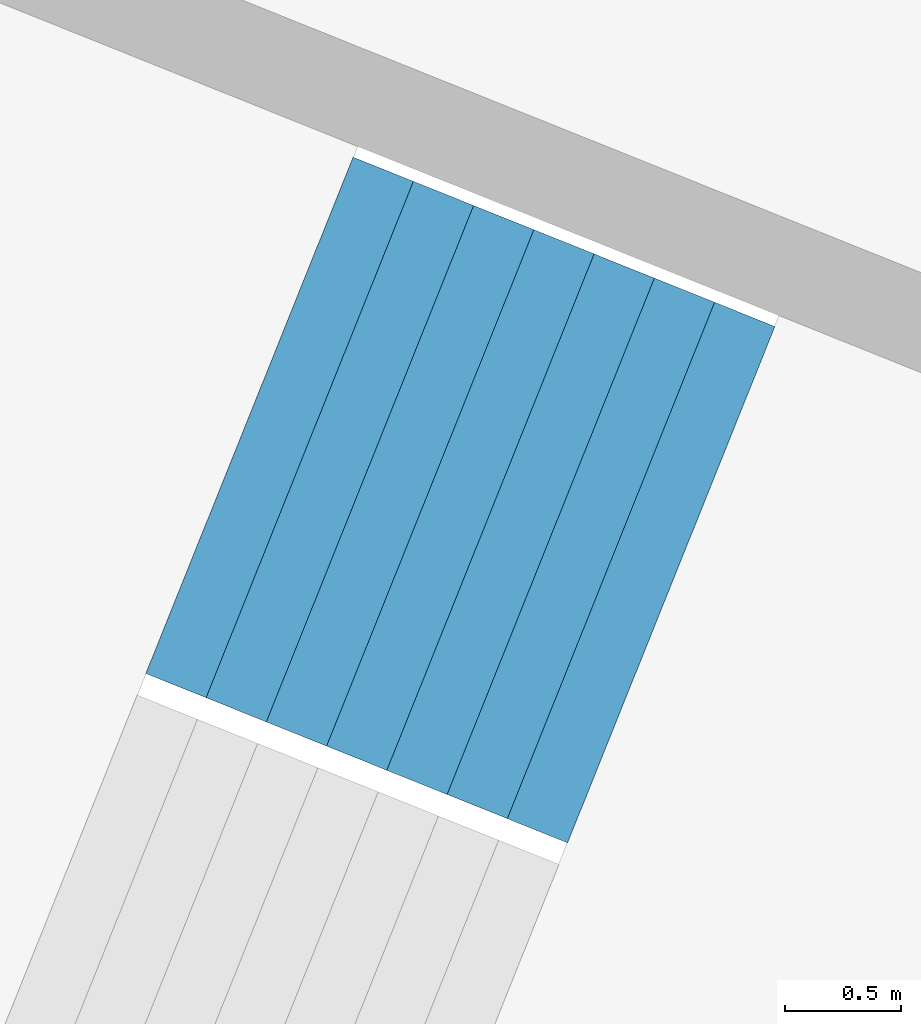
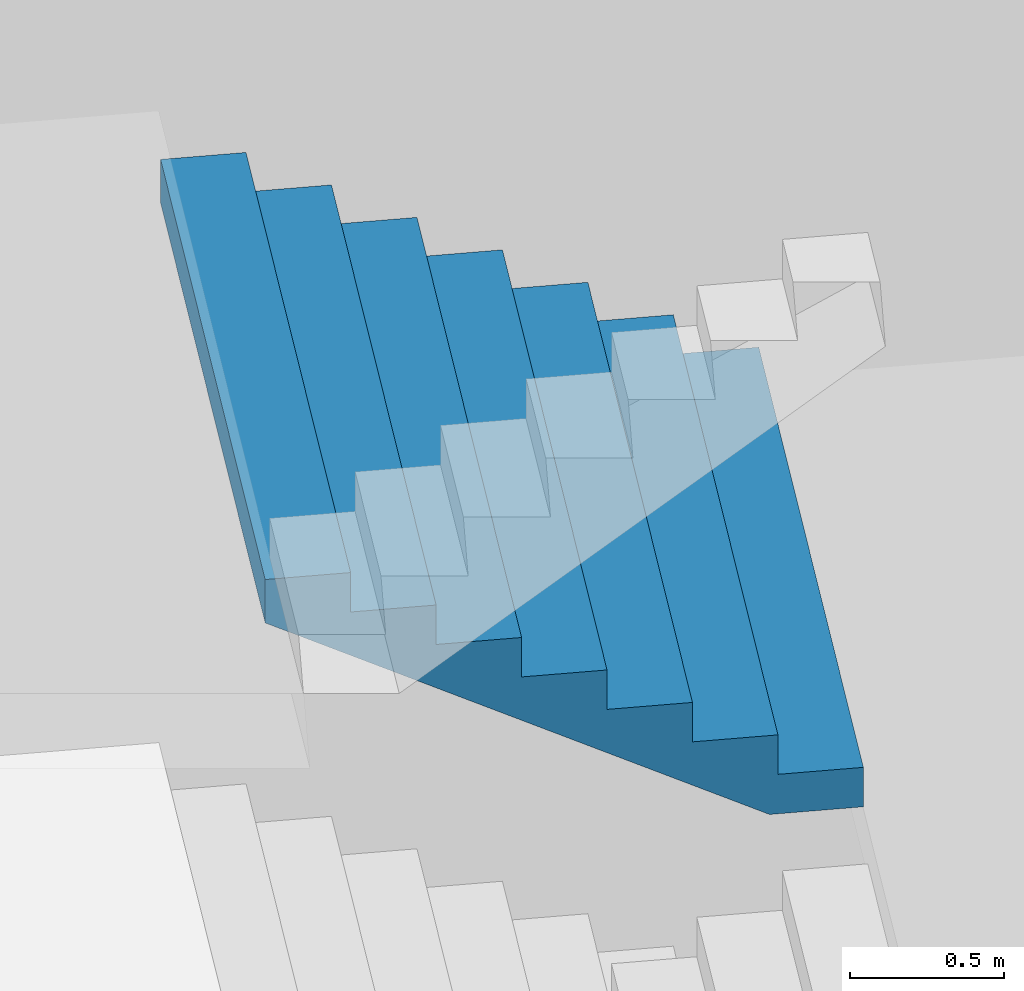
# One storey, part 36 of 73: 1 stair flight, 1 element without a shape of its own.
"""IFC4 building model written with IfcOpenShell, lengths in metres."""

from ifc_helpers import new_model, si_unit, direction, frame, origin, place, context, subcontext, project, spatial, triangles, material, type_object, element, aggregate, save


model = new_model("IFC4")

# Units and contexts
model_context = context("Model", 3, precision=1e-05, world=origin(), true_north=direction((0.0, 1.0)))
body_context = subcontext(model_context, "Body", "Model", "MODEL_VIEW")
ifc_project = project(units=[si_unit("LENGTHUNIT", "METRE"), si_unit("AREAUNIT", "SQUARE_METRE"), si_unit("VOLUMEUNIT", "CUBIC_METRE"), si_unit("PLANEANGLEUNIT", "RADIAN"), si_unit("MASSUNIT", "GRAM", prefix="KILO")], contexts=[model_context])

# Site, building, storey
site_placement = place(None, origin())
site = spatial("IfcSite", under=ifc_project, at=site_placement, CompositionType="ELEMENT")
building_placement = place(site_placement, origin())
building = spatial("IfcBuilding", under=site, at=building_placement, Name="Lantaw Convention Tower", CompositionType="ELEMENT")
storey_placement = place(building_placement, frame((0.0, 0.0, 22.0)))
storey = spatial("IfcBuildingStorey", under=building, at=storey_placement, Name="L03", CompositionType="ELEMENT", Elevation=22.0)

# Stair, stair flight
ifc_material = material(Name="Concrete C35/45", Category="concrete")
stair_type = type_object("IfcStairType", Name="Exit stair 2400 riser 156.25 in 4 flights", PredefinedType="HALF_TURN_STAIR", material=ifc_material)
stair_placement = place(storey_placement, origin())
stair = element("IfcStair", 1, at=stair_placement, inside=storey, type_object=stair_type, Name="Podium exit stair P8 L03", PredefinedType="HALF_TURN_STAIR")
stair_flight_type = type_object("IfcStairFlightType", Name="Stair flight 2400 riser 156.25", PredefinedType="STRAIGHT", material=ifc_material)
stair_flight_placement = place(storey_placement, frame((-35.799560546875, 15.71826171875, 2.5), z_axis=(0.0, 0.0, 1.0), x_axis=(-0.928015168305, 0.372542410198, 0.0)))
stair_flight = element("IfcStairFlight", 2, at=stair_flight_placement, type_object=stair_flight_type, Name="P8 flight 3", NumberOfRisers=8, NumberOfTreads=7, PredefinedType="STRAIGHT", RiserHeight=0.15625, TreadLength=0.28, context=body_context, shape_type="Tessellation", body=[
    triangles([(0.0, 1.199951171875, 0.0), (0.0, 1.199951171875, 0.15625), (0.28, 1.199951171875, 0.0), (0.28, 1.199951171875, 0.15625), (0.28, 1.199951171875, 0.3125), (0.3076200632058044, 1.199951171875, 0.0), (0.3076200632058044, 1.199951171875, 0.3125), (0.56, 1.199951171875, 0.14083701830033238), (0.56, 1.199951171875, 0.3125), (0.56, 1.199951171875, 0.46875), (0.8400000000000001, 1.199951171875, 0.29708701830033235), (0.8400000000000001, 1.199951171875, 0.46875), (0.8400000000000001, 1.199951171875, 0.625), (1.12, 1.199951171875, 0.45333701830033235), (1.12, 1.199951171875, 0.625), (1.12, 1.199951171875, 0.78125), (1.4000000000000001, 1.199951171875, 0.6095870183003324), (1.4000000000000001, 1.199951171875, 0.78125), (1.4000000000000001, 1.199951171875, 0.9375), (1.6800000000000002, 1.199951171875, 0.7658370183003324), (1.6800000000000002, 1.199951171875, 0.9375), (1.6800000000000002, 1.199951171875, 1.09375), (1.9600000000000002, 1.199951171875, 0.9220870183003324), (1.9600000000000002, 1.199951171875, 1.09375), (0.0, -1.199951171875, 0.0), (0.0, -1.199951171875, 0.15625), (0.28, -1.199951171875, 0.0), (0.28, -1.199951171875, 0.15625), (0.28, -1.199951171875, 0.3125), (0.3076200632058044, -1.199951171875, 0.0), (0.3076200632058044, -1.199951171875, 0.3125), (0.56, -1.199951171875, 0.14083701830033238), (0.56, -1.199951171875, 0.3125), (0.56, -1.199951171875, 0.46875), (0.8400000000000001, -1.199951171875, 0.29708701830033235), (0.8400000000000001, -1.199951171875, 0.46875), (0.8400000000000001, -1.199951171875, 0.625), (1.12, -1.199951171875, 0.45333701830033235), (1.12, -1.199951171875, 0.625), (1.12, -1.199951171875, 0.78125), (1.4000000000000001, -1.199951171875, 0.6095870183003324), (1.4000000000000001, -1.199951171875, 0.78125), (1.4000000000000001, -1.199951171875, 0.9375), (1.6800000000000002, -1.199951171875, 0.7658370183003324), (1.6800000000000002, -1.199951171875, 0.9375), (1.6800000000000002, -1.199951171875, 1.09375), (1.9600000000000002, -1.199951171875, 0.9220870183003324), (1.9600000000000002, -1.199951171875, 1.09375), (0.0, 0.239990234375, 0.15625), (0.0, 0.239990234375, 0.0), (0.0, 0.1919921875, 0.15625), (0.0, 0.1919921875, 0.0), (0.0, 0.143994140625, 0.15625), (0.0, 0.143994140625, 0.0), (0.0, 0.09599609375, 0.15625), (0.0, 0.09599609375, 0.0), (0.0, 0.047998046875, 0.15625), (0.0, 0.047998046875, 0.0), (0.0, 0.0, 0.15625), (0.0, 0.0, 0.0), (0.0, -0.047998046875, 0.15625), (0.0, -0.047998046875, 0.0), (0.0, -0.09599609375, 0.15625), (0.0, -0.09599609375, 0.0), (0.0, -0.143994140625, 0.15625), (0.0, -0.143994140625, 0.0), (0.0, -0.1919921875, 0.15625), (0.0, -0.1919921875, 0.0), (0.0, -0.239990234375, 0.15625), (0.0, -0.239990234375, 0.0), (0.28, 0.239990234375, 0.3125), (0.28, 0.239990234375, 0.15625), (0.28, 0.1919921875, 0.3125), (0.28, 0.1919921875, 0.15625), (0.28, 0.143994140625, 0.3125), (0.28, 0.143994140625, 0.15625), (0.28, 0.09599609375, 0.3125), (0.28, 0.09599609375, 0.15625), (0.28, 0.047998046875, 0.3125), (0.28, 0.047998046875, 0.15625), (0.28, 0.0, 0.3125), (0.28, 0.0, 0.15625), (0.28, -0.047998046875, 0.3125), (0.28, -0.047998046875, 0.15625), (0.28, -0.09599609375, 0.3125), (0.28, -0.09599609375, 0.15625), (0.28, -0.143994140625, 0.3125), (0.28, -0.143994140625, 0.15625), (0.28, -0.1919921875, 0.3125), (0.28, -0.1919921875, 0.15625), (0.28, -0.239990234375, 0.3125), (0.28, -0.239990234375, 0.15625), (0.56, 0.239990234375, 0.46875), (0.56, 0.239990234375, 0.3125), (0.56, 0.1919921875, 0.46875), (0.56, 0.1919921875, 0.3125), (0.56, 0.143994140625, 0.46875), (0.56, 0.143994140625, 0.3125), (0.56, 0.09599609375, 0.46875), (0.56, 0.09599609375, 0.3125), (0.56, 0.047998046875, 0.46875), (0.56, 0.047998046875, 0.3125), (0.56, 0.0, 0.46875), (0.56, 0.0, 0.3125), (0.56, -0.047998046875, 0.46875), (0.56, -0.047998046875, 0.3125), (0.56, -0.09599609375, 0.46875), (0.56, -0.09599609375, 0.3125), (0.56, -0.143994140625, 0.46875), (0.56, -0.143994140625, 0.3125), (0.56, -0.1919921875, 0.46875), (0.56, -0.1919921875, 0.3125), (0.56, -0.239990234375, 0.46875), (0.56, -0.239990234375, 0.3125), (0.8400000000000001, 0.239990234375, 0.625), (0.8400000000000001, 0.239990234375, 0.46875), (0.8400000000000001, 0.1919921875, 0.625), (0.8400000000000001, 0.1919921875, 0.46875), (0.8400000000000001, 0.143994140625, 0.625), (0.8400000000000001, 0.143994140625, 0.46875), (0.8400000000000001, 0.09599609375, 0.625), (0.8400000000000001, 0.09599609375, 0.46875), (0.8400000000000001, 0.047998046875, 0.625), (0.8400000000000001, 0.047998046875, 0.46875), (0.8400000000000001, 0.0, 0.625), (0.8400000000000001, 0.0, 0.46875), (0.8400000000000001, -0.047998046875, 0.625), (0.8400000000000001, -0.047998046875, 0.46875), (0.8400000000000001, -0.09599609375, 0.625), (0.8400000000000001, -0.09599609375, 0.46875), (0.8400000000000001, -0.143994140625, 0.625), (0.8400000000000001, -0.143994140625, 0.46875), (0.8400000000000001, -0.1919921875, 0.625), (0.8400000000000001, -0.1919921875, 0.46875), (0.8400000000000001, -0.239990234375, 0.625), (0.8400000000000001, -0.239990234375, 0.46875), (1.12, 0.239990234375, 0.78125), (1.12, 0.239990234375, 0.625), (1.12, 0.1919921875, 0.78125), (1.12, 0.1919921875, 0.625), (1.12, 0.143994140625, 0.78125), (1.12, 0.143994140625, 0.625), (1.12, 0.09599609375, 0.78125), (1.12, 0.09599609375, 0.625), (1.12, 0.047998046875, 0.78125), (1.12, 0.047998046875, 0.625), (1.12, 0.0, 0.78125), (1.12, 0.0, 0.625), (1.12, -0.047998046875, 0.78125), (1.12, -0.047998046875, 0.625), (1.12, -0.09599609375, 0.78125), (1.12, -0.09599609375, 0.625), (1.12, -0.143994140625, 0.78125), (1.12, -0.143994140625, 0.625), (1.12, -0.1919921875, 0.78125), (1.12, -0.1919921875, 0.625), (1.12, -0.239990234375, 0.78125), (1.12, -0.239990234375, 0.625), (1.4000000000000001, 0.239990234375, 0.9375), (1.4000000000000001, 0.239990234375, 0.78125), (1.4000000000000001, 0.1919921875, 0.9375), (1.4000000000000001, 0.1919921875, 0.78125), (1.4000000000000001, 0.143994140625, 0.9375), (1.4000000000000001, 0.143994140625, 0.78125), (1.4000000000000001, 0.09599609375, 0.9375), (1.4000000000000001, 0.09599609375, 0.78125), (1.4000000000000001, 0.047998046875, 0.9375), (1.4000000000000001, 0.047998046875, 0.78125), (1.4000000000000001, 0.0, 0.9375), (1.4000000000000001, 0.0, 0.78125), (1.4000000000000001, -0.047998046875, 0.9375), (1.4000000000000001, -0.047998046875, 0.78125), (1.4000000000000001, -0.09599609375, 0.9375), (1.4000000000000001, -0.09599609375, 0.78125), (1.4000000000000001, -0.143994140625, 0.9375), (1.4000000000000001, -0.143994140625, 0.78125), (1.4000000000000001, -0.1919921875, 0.9375), (1.4000000000000001, -0.1919921875, 0.78125), (1.4000000000000001, -0.239990234375, 0.9375), (1.4000000000000001, -0.239990234375, 0.78125), (1.6800000000000002, 0.239990234375, 1.09375), (1.6800000000000002, 0.239990234375, 0.9375), (1.6800000000000002, 0.1919921875, 1.09375), (1.6800000000000002, 0.1919921875, 0.9375), (1.6800000000000002, 0.143994140625, 1.09375), (1.6800000000000002, 0.143994140625, 0.9375), (1.6800000000000002, 0.09599609375, 1.09375), (1.6800000000000002, 0.09599609375, 0.9375), (1.6800000000000002, 0.047998046875, 1.09375), (1.6800000000000002, 0.047998046875, 0.9375), (1.6800000000000002, 0.0, 1.09375), (1.6800000000000002, 0.0, 0.9375), (1.6800000000000002, -0.047998046875, 1.09375), (1.6800000000000002, -0.047998046875, 0.9375), (1.6800000000000002, -0.09599609375, 1.09375), (1.6800000000000002, -0.09599609375, 0.9375), (1.6800000000000002, -0.143994140625, 1.09375), (1.6800000000000002, -0.143994140625, 0.9375), (1.6800000000000002, -0.1919921875, 1.09375), (1.6800000000000002, -0.1919921875, 0.9375), (1.6800000000000002, -0.239990234375, 1.09375), (1.6800000000000002, -0.239990234375, 0.9375), (0.3076200632058044, 0.239990234375, 0.3125), (0.3076200632058044, 0.1919921875, 0.3125), (0.3076200632058044, 0.143994140625, 0.3125), (0.3076200632058044, 0.09599609375, 0.3125), (0.3076200632058044, 0.047998046875, 0.3125), (0.3076200632058044, 0.0, 0.3125), (0.3076200632058044, -0.047998046875, 0.3125), (0.3076200632058044, -0.09599609375, 0.3125), (0.3076200632058044, -0.143994140625, 0.3125), (0.3076200632058044, -0.1919921875, 0.3125), (0.3076200632058044, -0.239990234375, 0.3125), (1.9600000000000002, 0.239990234375, 1.09375), (1.9600000000000002, 0.1919921875, 1.09375), (1.9600000000000002, 0.143994140625, 1.09375), (1.9600000000000002, 0.09599609375, 1.09375), (1.9600000000000002, 0.047998046875, 1.09375), (1.9600000000000002, 0.0, 1.09375), (1.9600000000000002, -0.047998046875, 1.09375), (1.9600000000000002, -0.09599609375, 1.09375), (1.9600000000000002, -0.143994140625, 1.09375), (1.9600000000000002, -0.1919921875, 1.09375), (1.9600000000000002, -0.239990234375, 1.09375), (1.9600000000000002, 0.239990234375, 0.9220870183003324), (1.9600000000000002, 0.1919921875, 0.9220870183003324), (1.9600000000000002, 0.143994140625, 0.9220870183003324), (1.9600000000000002, 0.09599609375, 0.9220870183003324), (1.9600000000000002, 0.047998046875, 0.9220870183003324), (1.9600000000000002, 0.0, 0.9220870183003324), (1.9600000000000002, -0.047998046875, 0.9220870183003324), (1.9600000000000002, -0.09599609375, 0.9220870183003324), (1.9600000000000002, -0.143994140625, 0.9220870183003324), (1.9600000000000002, -0.1919921875, 0.9220870183003324), (1.9600000000000002, -0.239990234375, 0.9220870183003324), (1.6800000000000002, 0.239990234375, 0.7658370183003324), (1.6800000000000002, 0.1919921875, 0.7658370183003324), (1.6800000000000002, 0.143994140625, 0.7658370183003324), (1.6800000000000002, 0.09599609375, 0.7658370183003324), (1.6800000000000002, 0.047998046875, 0.7658370183003324), (1.6800000000000002, 0.0, 0.7658370183003324), (1.6800000000000002, -0.047998046875, 0.7658370183003324), (1.6800000000000002, -0.09599609375, 0.7658370183003324), (1.6800000000000002, -0.143994140625, 0.7658370183003324), (1.6800000000000002, -0.1919921875, 0.7658370183003324), (1.6800000000000002, -0.239990234375, 0.7658370183003324), (1.4000000000000001, 0.239990234375, 0.6095870183003324), (1.4000000000000001, 0.1919921875, 0.6095870183003324), (1.4000000000000001, 0.143994140625, 0.6095870183003324), (1.4000000000000001, 0.09599609375, 0.6095870183003324), (1.4000000000000001, 0.047998046875, 0.6095870183003324), (1.4000000000000001, 0.0, 0.6095870183003324), (1.4000000000000001, -0.047998046875, 0.6095870183003324), (1.4000000000000001, -0.09599609375, 0.6095870183003324), (1.4000000000000001, -0.143994140625, 0.6095870183003324), (1.4000000000000001, -0.1919921875, 0.6095870183003324), (1.4000000000000001, -0.239990234375, 0.6095870183003324), (1.12, 0.239990234375, 0.45333701830033235), (1.12, 0.1919921875, 0.45333701830033235), (1.12, 0.143994140625, 0.45333701830033235), (1.12, 0.09599609375, 0.45333701830033235), (1.12, 0.047998046875, 0.45333701830033235), (1.12, 0.0, 0.45333701830033235), (1.12, -0.047998046875, 0.45333701830033235), (1.12, -0.09599609375, 0.45333701830033235), (1.12, -0.143994140625, 0.45333701830033235), (1.12, -0.1919921875, 0.45333701830033235), (1.12, -0.239990234375, 0.45333701830033235), (0.8400000000000001, 0.239990234375, 0.29708701830033235), (0.8400000000000001, 0.1919921875, 0.29708701830033235), (0.8400000000000001, 0.143994140625, 0.29708701830033235), (0.8400000000000001, 0.09599609375, 0.29708701830033235), (0.8400000000000001, 0.047998046875, 0.29708701830033235), (0.8400000000000001, 0.0, 0.29708701830033235), (0.8400000000000001, -0.047998046875, 0.29708701830033235), (0.8400000000000001, -0.09599609375, 0.29708701830033235), (0.8400000000000001, -0.143994140625, 0.29708701830033235), (0.8400000000000001, -0.1919921875, 0.29708701830033235), (0.8400000000000001, -0.239990234375, 0.29708701830033235), (0.56, 0.239990234375, 0.14083701830033238), (0.56, 0.1919921875, 0.14083701830033238), (0.56, 0.143994140625, 0.14083701830033238), (0.56, 0.09599609375, 0.14083701830033238), (0.56, 0.047998046875, 0.14083701830033238), (0.56, 0.0, 0.14083701830033238), (0.56, -0.047998046875, 0.14083701830033238), (0.56, -0.09599609375, 0.14083701830033238), (0.56, -0.143994140625, 0.14083701830033238), (0.56, -0.1919921875, 0.14083701830033238), (0.56, -0.239990234375, 0.14083701830033238), (0.3076200632058044, 0.239990234375, 0.0), (0.3076200632058044, 0.1919921875, 0.0), (0.3076200632058044, 0.143994140625, 0.0), (0.3076200632058044, 0.09599609375, 0.0), (0.3076200632058044, 0.047998046875, 0.0), (0.3076200632058044, 0.0, 0.0), (0.3076200632058044, -0.047998046875, 0.0), (0.3076200632058044, -0.09599609375, 0.0), (0.3076200632058044, -0.143994140625, 0.0), (0.3076200632058044, -0.1919921875, 0.0), (0.3076200632058044, -0.239990234375, 0.0), (0.28, 0.239990234375, 0.0), (0.28, 0.1919921875, 0.0), (0.28, 0.143994140625, 0.0), (0.28, 0.09599609375, 0.0), (0.28, 0.047998046875, 0.0), (0.28, 0.0, 0.0), (0.28, -0.047998046875, 0.0), (0.28, -0.09599609375, 0.0), (0.28, -0.143994140625, 0.0), (0.28, -0.1919921875, 0.0), (0.28, -0.239990234375, 0.0)], [[1, 4, 3], [1, 2, 4], [3, 4, 6], [4, 7, 6], [4, 5, 7], [6, 9, 8], [6, 7, 9], [8, 9, 11], [9, 12, 11], [9, 10, 12], [11, 12, 14], [12, 15, 14], [12, 13, 15], [14, 15, 17], [15, 18, 17], [15, 16, 18], [17, 18, 20], [18, 21, 20], [18, 19, 21], [20, 21, 23], [21, 24, 23], [21, 22, 24], [25, 27, 28], [25, 28, 26], [27, 30, 28], [28, 30, 31], [28, 31, 29], [30, 32, 33], [30, 33, 31], [32, 35, 33], [33, 35, 36], [33, 36, 34], [35, 38, 36], [36, 38, 39], [36, 39, 37], [38, 41, 39], [39, 41, 42], [39, 42, 40], [41, 44, 42], [42, 44, 45], [42, 45, 43], [44, 47, 45], [45, 47, 48], [45, 48, 46], [1, 49, 2], [1, 50, 49], [50, 51, 49], [50, 52, 51], [52, 53, 51], [52, 54, 53], [54, 55, 53], [54, 56, 55], [56, 57, 55], [56, 58, 57], [58, 59, 57], [58, 60, 59], [60, 61, 59], [60, 62, 61], [62, 63, 61], [62, 64, 63], [64, 65, 63], [64, 66, 65], [66, 67, 65], [66, 68, 67], [68, 69, 67], [68, 70, 69], [70, 26, 69], [70, 25, 26], [4, 71, 5], [4, 72, 71], [72, 73, 71], [72, 74, 73], [74, 75, 73], [74, 76, 75], [76, 77, 75], [76, 78, 77], [78, 79, 77], [78, 80, 79], [80, 81, 79], [80, 82, 81], [82, 83, 81], [82, 84, 83], [84, 85, 83], [84, 86, 85], [86, 87, 85], [86, 88, 87], [88, 89, 87], [88, 90, 89], [90, 91, 89], [90, 92, 91], [92, 29, 91], [92, 28, 29], [9, 93, 10], [9, 94, 93], [94, 95, 93], [94, 96, 95], [96, 97, 95], [96, 98, 97], [98, 99, 97], [98, 100, 99], [100, 101, 99], [100, 102, 101], [102, 103, 101], [102, 104, 103], [104, 105, 103], [104, 106, 105], [106, 107, 105], [106, 108, 107], [108, 109, 107], [108, 110, 109], [110, 111, 109], [110, 112, 111], [112, 113, 111], [112, 114, 113], [114, 34, 113], [114, 33, 34], [12, 115, 13], [12, 116, 115], [116, 117, 115], [116, 118, 117], [118, 119, 117], [118, 120, 119], [120, 121, 119], [120, 122, 121], [122, 123, 121], [122, 124, 123], [124, 125, 123], [124, 126, 125], [126, 127, 125], [126, 128, 127], [128, 129, 127], [128, 130, 129], [130, 131, 129], [130, 132, 131], [132, 133, 131], [132, 134, 133], [134, 135, 133], [134, 136, 135], [136, 37, 135], [136, 36, 37], [15, 137, 16], [15, 138, 137], [138, 139, 137], [138, 140, 139], [140, 141, 139], [140, 142, 141], [142, 143, 141], [142, 144, 143], [144, 145, 143], [144, 146, 145], [146, 147, 145], [146, 148, 147], [148, 149, 147], [148, 150, 149], [150, 151, 149], [150, 152, 151], [152, 153, 151], [152, 154, 153], [154, 155, 153], [154, 156, 155], [156, 157, 155], [156, 158, 157], [158, 40, 157], [158, 39, 40], [18, 159, 19], [18, 160, 159], [160, 161, 159], [160, 162, 161], [162, 163, 161], [162, 164, 163], [164, 165, 163], [164, 166, 165], [166, 167, 165], [166, 168, 167], [168, 169, 167], [168, 170, 169], [170, 171, 169], [170, 172, 171], [172, 173, 171], [172, 174, 173], [174, 175, 173], [174, 176, 175], [176, 177, 175], [176, 178, 177], [178, 179, 177], [178, 180, 179], [180, 43, 179], [180, 42, 43], [21, 181, 22], [21, 182, 181], [182, 183, 181], [182, 184, 183], [184, 185, 183], [184, 186, 185], [186, 187, 185], [186, 188, 187], [188, 189, 187], [188, 190, 189], [190, 191, 189], [190, 192, 191], [192, 193, 191], [192, 194, 193], [194, 195, 193], [194, 196, 195], [196, 197, 195], [196, 198, 197], [198, 199, 197], [198, 200, 199], [200, 201, 199], [200, 202, 201], [202, 46, 201], [202, 45, 46], [2, 72, 4], [2, 49, 72], [49, 74, 72], [49, 51, 74], [51, 76, 74], [51, 53, 76], [53, 78, 76], [53, 55, 78], [55, 80, 78], [55, 57, 80], [57, 82, 80], [57, 59, 82], [59, 84, 82], [59, 61, 84], [61, 86, 84], [61, 63, 86], [63, 88, 86], [63, 65, 88], [65, 90, 88], [65, 67, 90], [67, 92, 90], [67, 69, 92], [69, 28, 92], [69, 26, 28], [5, 203, 7], [5, 71, 203], [71, 204, 203], [71, 73, 204], [73, 205, 204], [73, 75, 205], [75, 206, 205], [75, 77, 206], [77, 207, 206], [77, 79, 207], [79, 208, 207], [79, 81, 208], [81, 209, 208], [81, 83, 209], [83, 210, 209], [83, 85, 210], [85, 211, 210], [85, 87, 211], [87, 212, 211], [87, 89, 212], [89, 213, 212], [89, 91, 213], [91, 31, 213], [91, 29, 31], [7, 94, 9], [7, 203, 94], [203, 96, 94], [203, 204, 96], [204, 98, 96], [204, 205, 98], [205, 100, 98], [205, 206, 100], [206, 102, 100], [206, 207, 102], [207, 104, 102], [207, 208, 104], [208, 106, 104], [208, 209, 106], [209, 108, 106], [209, 210, 108], [210, 110, 108], [210, 211, 110], [211, 112, 110], [211, 212, 112], [212, 114, 112], [212, 213, 114], [213, 33, 114], [213, 31, 33], [10, 116, 12], [10, 93, 116], [93, 118, 116], [93, 95, 118], [95, 120, 118], [95, 97, 120], [97, 122, 120], [97, 99, 122], [99, 124, 122], [99, 101, 124], [101, 126, 124], [101, 103, 126], [103, 128, 126], [103, 105, 128], [105, 130, 128], [105, 107, 130], [107, 132, 130], [107, 109, 132], [109, 134, 132], [109, 111, 134], [111, 136, 134], [111, 113, 136], [113, 36, 136], [113, 34, 36], [13, 138, 15], [13, 115, 138], [115, 140, 138], [115, 117, 140], [117, 142, 140], [117, 119, 142], [119, 144, 142], [119, 121, 144], [121, 146, 144], [121, 123, 146], [123, 148, 146], [123, 125, 148], [125, 150, 148], [125, 127, 150], [127, 152, 150], [127, 129, 152], [129, 154, 152], [129, 131, 154], [131, 156, 154], [131, 133, 156], [133, 158, 156], [133, 135, 158], [135, 39, 158], [135, 37, 39], [16, 160, 18], [16, 137, 160], [137, 162, 160], [137, 139, 162], [139, 164, 162], [139, 141, 164], [141, 166, 164], [141, 143, 166], [143, 168, 166], [143, 145, 168], [145, 170, 168], [145, 147, 170], [147, 172, 170], [147, 149, 172], [149, 174, 172], [149, 151, 174], [151, 176, 174], [151, 153, 176], [153, 178, 176], [153, 155, 178], [155, 180, 178], [155, 157, 180], [157, 42, 180], [157, 40, 42], [19, 182, 21], [19, 159, 182], [159, 184, 182], [159, 161, 184], [161, 186, 184], [161, 163, 186], [163, 188, 186], [163, 165, 188], [165, 190, 188], [165, 167, 190], [167, 192, 190], [167, 169, 192], [169, 194, 192], [169, 171, 194], [171, 196, 194], [171, 173, 196], [173, 198, 196], [173, 175, 198], [175, 200, 198], [175, 177, 200], [177, 202, 200], [177, 179, 202], [179, 45, 202], [179, 43, 45], [22, 214, 24], [22, 181, 214], [181, 215, 214], [181, 183, 215], [183, 216, 215], [183, 185, 216], [185, 217, 216], [185, 187, 217], [187, 218, 217], [187, 189, 218], [189, 219, 218], [189, 191, 219], [191, 220, 219], [191, 193, 220], [193, 221, 220], [193, 195, 221], [195, 222, 221], [195, 197, 222], [197, 223, 222], [197, 199, 223], [199, 224, 223], [199, 201, 224], [201, 48, 224], [201, 46, 48], [24, 225, 23], [24, 214, 225], [214, 226, 225], [214, 215, 226], [215, 227, 226], [215, 216, 227], [216, 228, 227], [216, 217, 228], [217, 229, 228], [217, 218, 229], [218, 230, 229], [218, 219, 230], [219, 231, 230], [219, 220, 231], [220, 232, 231], [220, 221, 232], [221, 233, 232], [221, 222, 233], [222, 234, 233], [222, 223, 234], [223, 235, 234], [223, 224, 235], [224, 47, 235], [224, 48, 47], [23, 236, 20], [23, 225, 236], [225, 237, 236], [225, 226, 237], [226, 238, 237], [226, 227, 238], [227, 239, 238], [227, 228, 239], [228, 240, 239], [228, 229, 240], [229, 241, 240], [229, 230, 241], [230, 242, 241], [230, 231, 242], [231, 243, 242], [231, 232, 243], [232, 244, 243], [232, 233, 244], [233, 245, 244], [233, 234, 245], [234, 246, 245], [234, 235, 246], [235, 44, 246], [235, 47, 44], [20, 247, 17], [20, 236, 247], [236, 248, 247], [236, 237, 248], [237, 249, 248], [237, 238, 249], [238, 250, 249], [238, 239, 250], [239, 251, 250], [239, 240, 251], [240, 252, 251], [240, 241, 252], [241, 253, 252], [241, 242, 253], [242, 254, 253], [242, 243, 254], [243, 255, 254], [243, 244, 255], [244, 256, 255], [244, 245, 256], [245, 257, 256], [245, 246, 257], [246, 41, 257], [246, 44, 41], [17, 258, 14], [17, 247, 258], [247, 259, 258], [247, 248, 259], [248, 260, 259], [248, 249, 260], [249, 261, 260], [249, 250, 261], [250, 262, 261], [250, 251, 262], [251, 263, 262], [251, 252, 263], [252, 264, 263], [252, 253, 264], [253, 265, 264], [253, 254, 265], [254, 266, 265], [254, 255, 266], [255, 267, 266], [255, 256, 267], [256, 268, 267], [256, 257, 268], [257, 38, 268], [257, 41, 38], [14, 269, 11], [14, 258, 269], [258, 270, 269], [258, 259, 270], [259, 271, 270], [259, 260, 271], [260, 272, 271], [260, 261, 272], [261, 273, 272], [261, 262, 273], [262, 274, 273], [262, 263, 274], [263, 275, 274], [263, 264, 275], [264, 276, 275], [264, 265, 276], [265, 277, 276], [265, 266, 277], [266, 278, 277], [266, 267, 278], [267, 279, 278], [267, 268, 279], [268, 35, 279], [268, 38, 35], [11, 280, 8], [11, 269, 280], [269, 281, 280], [269, 270, 281], [270, 282, 281], [270, 271, 282], [271, 283, 282], [271, 272, 283], [272, 284, 283], [272, 273, 284], [273, 285, 284], [273, 274, 285], [274, 286, 285], [274, 275, 286], [275, 287, 286], [275, 276, 287], [276, 288, 287], [276, 277, 288], [277, 289, 288], [277, 278, 289], [278, 290, 289], [278, 279, 290], [279, 32, 290], [279, 35, 32], [8, 291, 6], [8, 280, 291], [280, 292, 291], [280, 281, 292], [281, 293, 292], [281, 282, 293], [282, 294, 293], [282, 283, 294], [283, 295, 294], [283, 284, 295], [284, 296, 295], [284, 285, 296], [285, 297, 296], [285, 286, 297], [286, 298, 297], [286, 287, 298], [287, 299, 298], [287, 288, 299], [288, 300, 299], [288, 289, 300], [289, 301, 300], [289, 290, 301], [290, 30, 301], [290, 32, 30], [6, 302, 3], [6, 291, 302], [291, 303, 302], [291, 292, 303], [292, 304, 303], [292, 293, 304], [293, 305, 304], [293, 294, 305], [294, 306, 305], [294, 295, 306], [295, 307, 306], [295, 296, 307], [296, 308, 307], [296, 297, 308], [297, 309, 308], [297, 298, 309], [298, 310, 309], [298, 299, 310], [299, 311, 310], [299, 300, 311], [300, 312, 311], [300, 301, 312], [301, 27, 312], [301, 30, 27], [3, 50, 1], [3, 302, 50], [302, 52, 50], [302, 303, 52], [303, 54, 52], [303, 304, 54], [304, 56, 54], [304, 305, 56], [305, 58, 56], [305, 306, 58], [306, 60, 58], [306, 307, 60], [307, 62, 60], [307, 308, 62], [308, 64, 62], [308, 309, 64], [309, 66, 64], [309, 310, 66], [310, 68, 66], [310, 311, 68], [311, 70, 68], [311, 312, 70], [312, 25, 70], [312, 27, 25]], closed=True),
])
aggregate(stair, [stair_flight])

save(model, "model.ifc")
